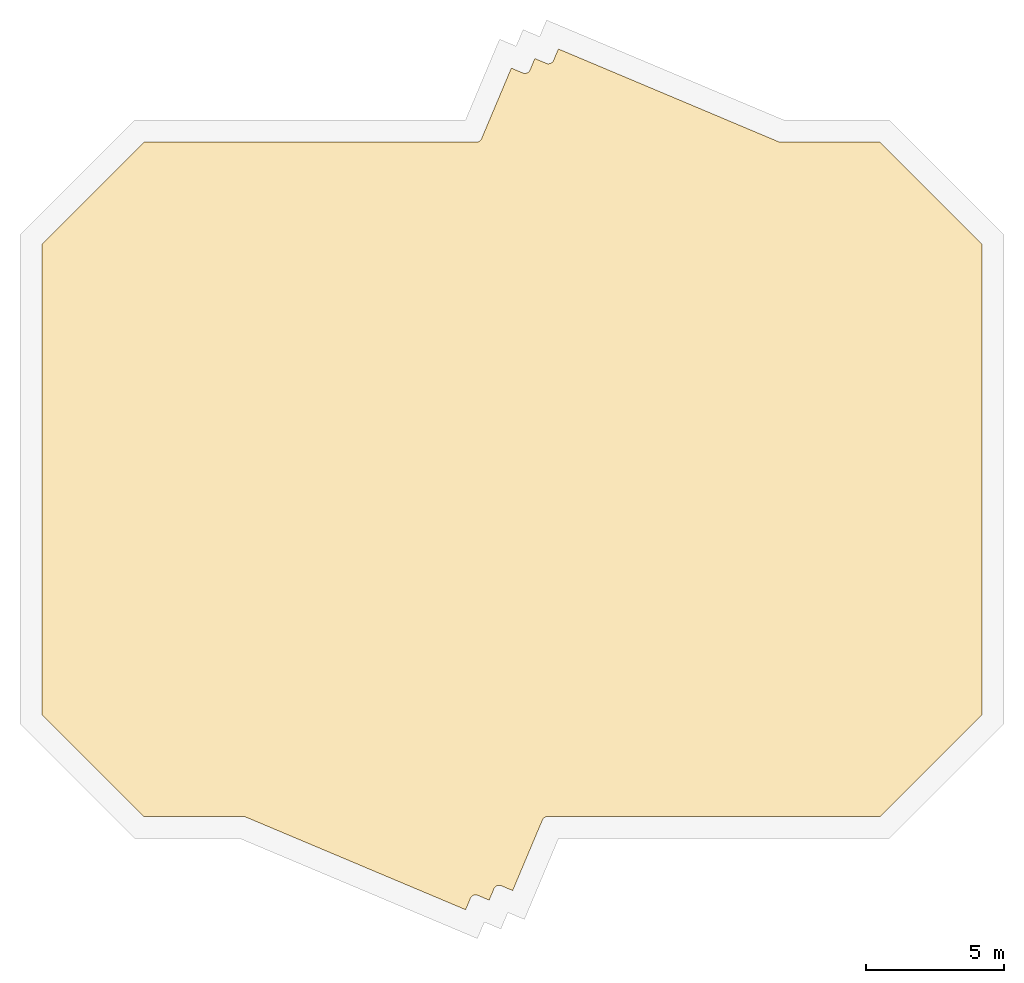
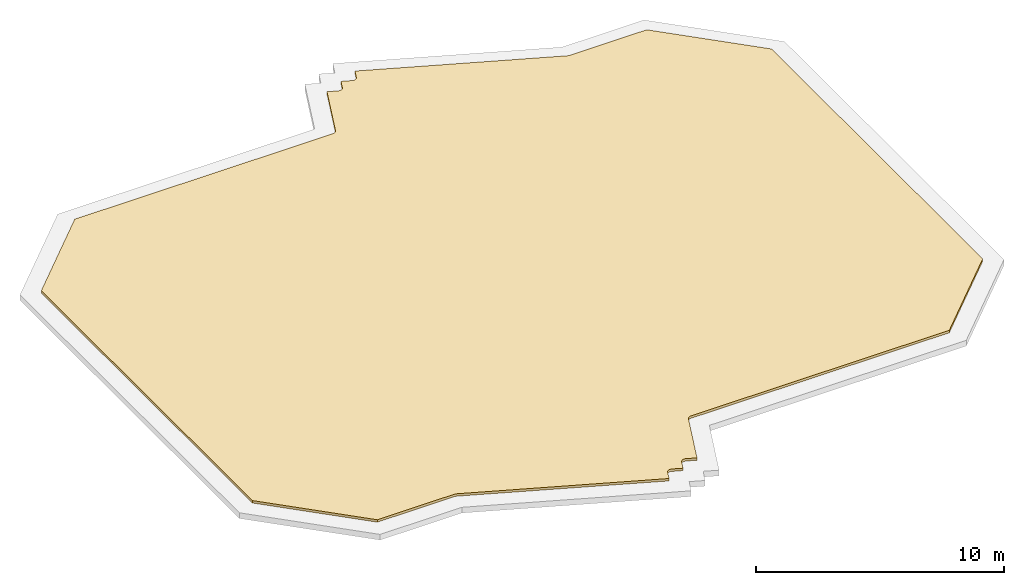
# One storey, part 2 of 2: 1 covering.
"""IFC4 building model written with IfcOpenShell, lengths in metres."""

from ifc_helpers import new_model, si_unit, direction, frame, origin, place, context, subcontext, project, spatial, polyline, outline, extrude, material, layer, layer_set, type_object, element, save


model = new_model("IFC4")

# Units and contexts
model_context = context("Model", 3, precision=1e-05, world=origin(), true_north=direction((0.0, 1.0)))
body_context = subcontext(model_context, "Body", "Model", "MODEL_VIEW")
ifc_project = project(units=[si_unit("LENGTHUNIT", "METRE"), si_unit("AREAUNIT", "SQUARE_METRE"), si_unit("VOLUMEUNIT", "CUBIC_METRE"), si_unit("PLANEANGLEUNIT", "RADIAN"), si_unit("MASSUNIT", "GRAM", prefix="KILO")], contexts=[model_context])

# Site, building, storey
site_placement = place(None, origin())
site = spatial("IfcSite", under=ifc_project, at=site_placement, CompositionType="ELEMENT")
building_placement = place(site_placement, origin())
building = spatial("IfcBuilding", under=site, at=building_placement, Name="Zahravan Cultural Tower", CompositionType="ELEMENT")
storey_placement = place(building_placement, frame((0.0, 0.0, 394.64990234375)))
storey = spatial("IfcBuildingStorey", under=building, at=storey_placement, Name="ROOF", CompositionType="ELEMENT", Elevation=394.64990234375)

# Covering
ifc_material = material(Name="EPDM roofing membrane")
ifc_layer = layer(ifc_material, 0.1201171875)
ifc_layer_set = layer_set([ifc_layer], Name="EPDM roofing membrane")
covering_type = type_object("IfcCoveringType", Name="COV-ROOF-EPDM120", PredefinedType="ROOFING", material=ifc_layer_set)
covering_placement = place(storey_placement, origin())
element("IfcCovering", 1, at=covering_placement, inside=storey, type_object=covering_type, Name="ROOF Crown Canopy Waterproofing Membrane", PredefinedType="ROOFING", context=body_context, shape_type="SweptSolid", body=[
    extrude(outline(polyline([(34.89013671875, 39.3046875), (34.8798828125, 39.2880859375), (34.868408203125, 39.2724609375), (34.85498046875, 39.258056640625), (34.840576171875, 39.244873046875), (34.824951171875, 39.2333984375), (34.80810546875, 39.223388671875), (34.79052734375, 39.215087890625), (34.772216796875, 39.20849609375), (34.753173828125, 39.203857421875), (34.73388671875, 39.200927734375), (34.71435546875, 39.199951171875), (22.682861328125, 39.199951171875), (19.0, 35.51708984375), (19.0, 18.48291015625), (22.682861328125, 14.800048828125), (26.283447265625, 14.800048828125), (26.303466796875, 14.799072265625), (26.322998046875, 14.7958984375), (26.34228515625, 14.791015625), (26.361083984375, 14.7841796875), (34.322021484375, 11.4296875), (34.496826171875, 11.844482421875), (34.50537109375, 11.862060546875), (34.515380859375, 11.87890625), (34.52734375, 11.89453125), (34.54052734375, 11.908935546875), (34.55517578125, 11.922119140625), (34.571044921875, 11.93359375), (34.587890625, 11.943603515625), (34.605712890625, 11.951904296875), (34.624267578125, 11.95849609375), (34.643310546875, 11.963134765625), (34.66259765625, 11.9658203125), (34.682373046875, 11.966796875), (34.701904296875, 11.965576171875), (34.72119140625, 11.962646484375), (34.740234375, 11.957763671875), (34.7587890625, 11.950927734375), (35.173583984375, 11.7763671875), (35.34814453125, 12.19091796875), (35.356689453125, 12.208740234375), (35.366943359375, 12.225341796875), (35.378662109375, 12.2412109375), (35.391845703125, 12.255615234375), (35.406494140625, 12.268798828125), (35.42236328125, 12.2802734375), (35.439208984375, 12.290283203125), (35.45703125, 12.298583984375), (35.4755859375, 12.304931640625), (35.49462890625, 12.309814453125), (35.51416015625, 12.3125), (35.53369140625, 12.313232421875), (35.55322265625, 12.312255859375), (35.57275390625, 12.30908203125), (35.591796875, 12.30419921875), (35.610107421875, 12.297607421875), (36.02490234375, 12.122802734375), (37.101318359375, 14.677734375), (37.10986328125, 14.6953125), (37.1201171875, 14.7119140625), (37.131591796875, 14.7275390625), (37.14501953125, 14.741943359375), (37.159423828125, 14.755126953125), (37.175048828125, 14.7666015625), (37.19189453125, 14.776611328125), (37.20947265625, 14.784912109375), (37.227783203125, 14.79150390625), (37.246826171875, 14.796142578125), (37.26611328125, 14.799072265625), (37.28564453125, 14.800048828125), (49.317138671875, 14.800048828125), (53.0, 18.48291015625), (53.0, 35.51708984375), (49.317138671875, 39.199951171875), (45.716552734375, 39.199951171875), (45.696533203125, 39.200927734375), (45.677001953125, 39.2041015625), (45.65771484375, 39.208984375), (45.638916015625, 39.2158203125), (37.677978515625, 42.5703125), (37.503173828125, 42.155517578125), (37.49462890625, 42.137939453125), (37.484619140625, 42.12109375), (37.47265625, 42.10546875), (37.45947265625, 42.091064453125), (37.44482421875, 42.077880859375), (37.428955078125, 42.06640625), (37.412109375, 42.056396484375), (37.394287109375, 42.048095703125), (37.375732421875, 42.04150390625), (37.356689453125, 42.036865234375), (37.33740234375, 42.0341796875), (37.317626953125, 42.033203125), (37.298095703125, 42.034423828125), (37.27880859375, 42.037353515625), (37.259765625, 42.042236328125), (37.2412109375, 42.049072265625), (36.826416015625, 42.2236328125), (36.65185546875, 41.80908203125), (36.643310546875, 41.791259765625), (36.633056640625, 41.774658203125), (36.621337890625, 41.7587890625), (36.608154296875, 41.744384765625), (36.593505859375, 41.731201171875), (36.57763671875, 41.7197265625), (36.560791015625, 41.709716796875), (36.54296875, 41.701416015625), (36.5244140625, 41.695068359375), (36.50537109375, 41.690185546875), (36.48583984375, 41.6875), (36.46630859375, 41.686767578125), (36.44677734375, 41.687744140625), (36.42724609375, 41.69091796875), (36.408203125, 41.69580078125), (36.389892578125, 41.702392578125), (35.97509765625, 41.877197265625), (34.898681640625, 39.322265625), (34.89013671875, 39.3046875)])), origin(), (0.0, 0.0, 1.0), 0.1201171875),
])

save(model, "model.ifc")
